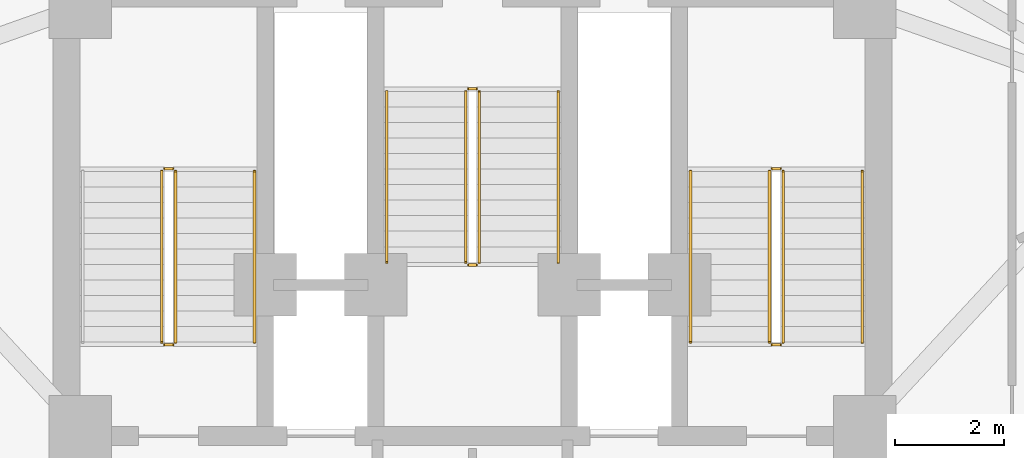
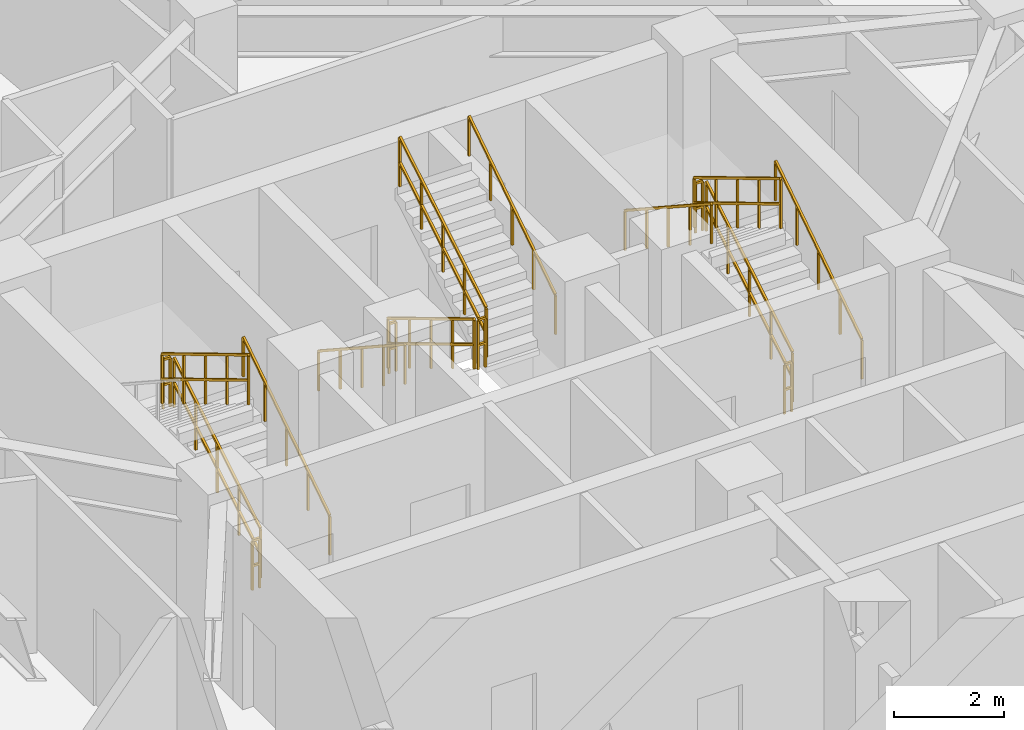
# One storey, part 10 of 11: 17 railings.
"""IFC4 building model written with IfcOpenShell, lengths in metres."""

from ifc_helpers import new_model, si_unit, direction, frame, origin, origin_2d, place, context, subcontext, project, spatial, rectangle, extrude, material, type_object, element, save


model = new_model("IFC4")

# Units and contexts
model_context = context("Model", 3, precision=1e-05, world=origin(), true_north=direction((0.0, 1.0)))
body_context = subcontext(model_context, "Body", "Model", "MODEL_VIEW")
ifc_project = project(units=[si_unit("LENGTHUNIT", "METRE"), si_unit("AREAUNIT", "SQUARE_METRE"), si_unit("VOLUMEUNIT", "CUBIC_METRE"), si_unit("PLANEANGLEUNIT", "RADIAN"), si_unit("MASSUNIT", "GRAM", prefix="KILO")], contexts=[model_context])

# Site, building, storey
site_placement = place(None, origin())
site = spatial("IfcSite", under=ifc_project, at=site_placement, CompositionType="ELEMENT")
building_placement = place(site_placement, origin())
building = spatial("IfcBuilding", under=site, at=building_placement, Name="Apsidion Concourse Tower", CompositionType="ELEMENT")
storey_placement = place(building_placement, frame((0.0, 0.0, 236.300048828125)))
storey = spatial("IfcBuildingStorey", under=building, at=storey_placement, Name="L55", CompositionType="ELEMENT", Elevation=236.300048828125)

# Railings
ifc_material = material(Name="Brushed stainless steel 316", Category="steel")
railing_type_1 = type_object("IfcRailingType", Name="RL-GUARD-1100", PredefinedType="GUARDRAIL", material=ifc_material)
railing_1_placement = place(storey_placement, frame((-5.449951171875, 3.0, 0.1708984375)))
element("IfcRailing", 1, at=railing_1_placement, inside=storey, type_object=railing_type_1, Name="L55 ST1 stair guard 1", PredefinedType="GUARDRAIL", context=body_context, shape_type="SweptSolid", body=[
    extrude(rectangle(XDim=0.048095703125, YDim=0.048095703125, at=origin_2d()), frame((0.0, 0.0, 1.09619140625), z_axis=(0.0, 0.857716804754, 0.514122439544), x_axis=(-1.0, 0.0, 0.0)), (0.0, 0.0, 1.0), 3.655029296875),
    extrude(rectangle(XDim=0.048095703125, YDim=0.048095703125, at=origin_2d()), frame((0.0, 0.0, 0.5361328125), z_axis=(0.0, 0.857716804754, 0.514122439544), x_axis=(-1.0, 0.0, 0.0)), (0.0, 0.0, 1.0), 3.655029296875),
    extrude(rectangle(XDim=0.0419921875, YDim=0.0419921875, at=origin_2d()), origin(), (0.0, 0.0, 1.0), 1.072021484375),
    extrude(rectangle(XDim=0.0419921875, YDim=0.0419921875, at=origin_2d()), frame((0.0, 0.78369140625, 0.4697265625)), (0.0, 0.0, 1.0), 1.072021484375),
    extrude(rectangle(XDim=0.0419921875, YDim=0.0419921875, at=origin_2d()), frame((0.0, 1.5673828125, 0.939453125)), (0.0, 0.0, 1.0), 1.072021484375),
    extrude(rectangle(XDim=0.0419921875, YDim=0.0419921875, at=origin_2d()), frame((0.0, 2.351318359375, 1.409423828125)), (0.0, 0.0, 1.0), 1.072021484375),
    extrude(rectangle(XDim=0.0419921875, YDim=0.0419921875, at=origin_2d()), frame((0.0, 3.135009765625, 1.879150390625)), (0.0, 0.0, 1.0), 1.072021484375),
])
railing_2_placement = place(storey_placement, frame((-5.5, 6.18505859375, 2.050048828125)))
element("IfcRailing", 2, at=railing_2_placement, inside=storey, type_object=railing_type_1, Name="L55 ST1 stair guard 2", PredefinedType="GUARDRAIL", context=body_context, shape_type="SweptSolid", body=[
    extrude(rectangle(XDim=0.048095703125, YDim=0.048095703125, at=origin_2d()), frame((0.0, 0.0, 1.09619140625), z_axis=(-1.0, 0.0, 0.0), x_axis=(0.0, -1.0, 0.0)), (0.0, 0.0, 1.0), 0.14990234375),
    extrude(rectangle(XDim=0.048095703125, YDim=0.048095703125, at=origin_2d()), frame((0.0, 0.0, 0.5361328125), z_axis=(-1.0, 0.0, 0.0), x_axis=(0.0, -1.0, 0.0)), (0.0, 0.0, 1.0), 0.14990234375),
    extrude(rectangle(XDim=0.0419921875, YDim=0.0419921875, at=origin_2d()), origin(), (0.0, 0.0, 1.0), 1.072021484375),
    extrude(rectangle(XDim=0.0419921875, YDim=0.0419921875, at=origin_2d()), frame((-0.14990234375, 0.0, 0.0)), (0.0, 0.0, 1.0), 1.072021484375),
])
railing_3_placement = place(storey_placement, frame((-5.699951171875, 6.135009765625, 2.220703125)))
element("IfcRailing", 3, at=railing_3_placement, inside=storey, type_object=railing_type_1, Name="L55 ST1 stair guard 3", PredefinedType="GUARDRAIL", context=body_context, shape_type="SweptSolid", body=[
    extrude(rectangle(XDim=0.048095703125, YDim=0.048095703125, at=origin_2d()), frame((0.0, 0.0, 1.09619140625), z_axis=(0.0, -0.857716804754, 0.514122439544), x_axis=(1.0, 0.0, 0.0)), (0.0, 0.0, 1.0), 3.655029296875),
    extrude(rectangle(XDim=0.048095703125, YDim=0.048095703125, at=origin_2d()), frame((0.0, 0.0, 0.5361328125), z_axis=(0.0, -0.857716804754, 0.514122439544), x_axis=(1.0, 0.0, 0.0)), (0.0, 0.0, 1.0), 3.655029296875),
    extrude(rectangle(XDim=0.0419921875, YDim=0.0419921875, at=origin_2d()), origin(), (0.0, 0.0, 1.0), 1.072021484375),
    extrude(rectangle(XDim=0.0419921875, YDim=0.0419921875, at=origin_2d()), frame((0.0, -0.78369140625, 0.4697265625)), (0.0, 0.0, 1.0), 1.072021484375),
    extrude(rectangle(XDim=0.0419921875, YDim=0.0419921875, at=origin_2d()), frame((0.0, -1.5673828125, 0.939453125)), (0.0, 0.0, 1.0), 1.072021484375),
    extrude(rectangle(XDim=0.0419921875, YDim=0.0419921875, at=origin_2d()), frame((0.0, -2.351318359375, 1.409423828125)), (0.0, 0.0, 1.0), 1.072021484375),
    extrude(rectangle(XDim=0.0419921875, YDim=0.0419921875, at=origin_2d()), frame((0.0, -3.135009765625, 1.879150390625)), (0.0, 0.0, 1.0), 1.072021484375),
])
railing_4_placement = place(storey_placement, frame((-5.5, 2.949951171875, 0.0)))
element("IfcRailing", 4, at=railing_4_placement, inside=storey, type_object=railing_type_1, Name="L55 ST1 stair guard 4", PredefinedType="GUARDRAIL", context=body_context, shape_type="SweptSolid", body=[
    extrude(rectangle(XDim=0.048095703125, YDim=0.048095703125, at=origin_2d()), frame((0.0, 0.0, 1.09619140625), z_axis=(-1.0, 0.0, 0.0), x_axis=(0.0, -1.0, 0.0)), (0.0, 0.0, 1.0), 0.14990234375),
    extrude(rectangle(XDim=0.048095703125, YDim=0.048095703125, at=origin_2d()), frame((0.0, 0.0, 0.5361328125), z_axis=(-1.0, 0.0, 0.0), x_axis=(0.0, -1.0, 0.0)), (0.0, 0.0, 1.0), 0.14990234375),
    extrude(rectangle(XDim=0.0419921875, YDim=0.0419921875, at=origin_2d()), origin(), (0.0, 0.0, 1.0), 1.072021484375),
    extrude(rectangle(XDim=0.0419921875, YDim=0.0419921875, at=origin_2d()), frame((-0.14990234375, 0.0, 0.0)), (0.0, 0.0, 1.0), 1.072021484375),
])
railing_5_placement = place(storey_placement, frame((5.699951171875, 3.0, 0.1708984375)))
element("IfcRailing", 5, at=railing_5_placement, inside=storey, type_object=railing_type_1, Name="L55 ST2 stair guard 1", PredefinedType="GUARDRAIL", context=body_context, shape_type="SweptSolid", body=[
    extrude(rectangle(XDim=0.048095703125, YDim=0.048095703125, at=origin_2d()), frame((0.0, 0.0, 1.09619140625), z_axis=(0.0, 0.857716804754, 0.514122439544), x_axis=(-1.0, 0.0, 0.0)), (0.0, 0.0, 1.0), 3.655029296875),
    extrude(rectangle(XDim=0.048095703125, YDim=0.048095703125, at=origin_2d()), frame((0.0, 0.0, 0.5361328125), z_axis=(0.0, 0.857716804754, 0.514122439544), x_axis=(-1.0, 0.0, 0.0)), (0.0, 0.0, 1.0), 3.655029296875),
    extrude(rectangle(XDim=0.0419921875, YDim=0.0419921875, at=origin_2d()), origin(), (0.0, 0.0, 1.0), 1.072021484375),
    extrude(rectangle(XDim=0.0419921875, YDim=0.0419921875, at=origin_2d()), frame((0.0, 0.78369140625, 0.4697265625)), (0.0, 0.0, 1.0), 1.072021484375),
    extrude(rectangle(XDim=0.0419921875, YDim=0.0419921875, at=origin_2d()), frame((0.0, 1.5673828125, 0.939453125)), (0.0, 0.0, 1.0), 1.072021484375),
    extrude(rectangle(XDim=0.0419921875, YDim=0.0419921875, at=origin_2d()), frame((0.0, 2.351318359375, 1.409423828125)), (0.0, 0.0, 1.0), 1.072021484375),
    extrude(rectangle(XDim=0.0419921875, YDim=0.0419921875, at=origin_2d()), frame((0.0, 3.135009765625, 1.879150390625)), (0.0, 0.0, 1.0), 1.072021484375),
])
railing_6_placement = place(storey_placement, frame((5.64990234375, 6.18505859375, 2.050048828125)))
element("IfcRailing", 6, at=railing_6_placement, inside=storey, type_object=railing_type_1, Name="L55 ST2 stair guard 2", PredefinedType="GUARDRAIL", context=body_context, shape_type="SweptSolid", body=[
    extrude(rectangle(XDim=0.048095703125, YDim=0.048095703125, at=origin_2d()), frame((0.0, 0.0, 1.09619140625), z_axis=(-1.0, 0.0, 0.0), x_axis=(0.0, -1.0, 0.0)), (0.0, 0.0, 1.0), 0.14990234375),
    extrude(rectangle(XDim=0.048095703125, YDim=0.048095703125, at=origin_2d()), frame((0.0, 0.0, 0.5361328125), z_axis=(-1.0, 0.0, 0.0), x_axis=(0.0, -1.0, 0.0)), (0.0, 0.0, 1.0), 0.14990234375),
    extrude(rectangle(XDim=0.0419921875, YDim=0.0419921875, at=origin_2d()), origin(), (0.0, 0.0, 1.0), 1.072021484375),
    extrude(rectangle(XDim=0.0419921875, YDim=0.0419921875, at=origin_2d()), frame((-0.14990234375, 0.0, 0.0)), (0.0, 0.0, 1.0), 1.072021484375),
])
railing_7_placement = place(storey_placement, frame((5.449951171875, 6.135009765625, 2.220703125)))
element("IfcRailing", 7, at=railing_7_placement, inside=storey, type_object=railing_type_1, Name="L55 ST2 stair guard 3", PredefinedType="GUARDRAIL", context=body_context, shape_type="SweptSolid", body=[
    extrude(rectangle(XDim=0.048095703125, YDim=0.048095703125, at=origin_2d()), frame((0.0, 0.0, 1.09619140625), z_axis=(0.0, -0.857716804754, 0.514122439544), x_axis=(1.0, 0.0, 0.0)), (0.0, 0.0, 1.0), 3.655029296875),
    extrude(rectangle(XDim=0.048095703125, YDim=0.048095703125, at=origin_2d()), frame((0.0, 0.0, 0.5361328125), z_axis=(0.0, -0.857716804754, 0.514122439544), x_axis=(1.0, 0.0, 0.0)), (0.0, 0.0, 1.0), 3.655029296875),
    extrude(rectangle(XDim=0.0419921875, YDim=0.0419921875, at=origin_2d()), origin(), (0.0, 0.0, 1.0), 1.072021484375),
    extrude(rectangle(XDim=0.0419921875, YDim=0.0419921875, at=origin_2d()), frame((0.0, -0.78369140625, 0.4697265625)), (0.0, 0.0, 1.0), 1.072021484375),
    extrude(rectangle(XDim=0.0419921875, YDim=0.0419921875, at=origin_2d()), frame((0.0, -1.5673828125, 0.939453125)), (0.0, 0.0, 1.0), 1.072021484375),
    extrude(rectangle(XDim=0.0419921875, YDim=0.0419921875, at=origin_2d()), frame((0.0, -2.351318359375, 1.409423828125)), (0.0, 0.0, 1.0), 1.072021484375),
    extrude(rectangle(XDim=0.0419921875, YDim=0.0419921875, at=origin_2d()), frame((0.0, -3.135009765625, 1.879150390625)), (0.0, 0.0, 1.0), 1.072021484375),
])
railing_8_placement = place(storey_placement, frame((5.64990234375, 2.949951171875, 0.0)))
element("IfcRailing", 8, at=railing_8_placement, inside=storey, type_object=railing_type_1, Name="L55 ST2 stair guard 4", PredefinedType="GUARDRAIL", context=body_context, shape_type="SweptSolid", body=[
    extrude(rectangle(XDim=0.048095703125, YDim=0.048095703125, at=origin_2d()), frame((0.0, 0.0, 1.09619140625), z_axis=(-1.0, 0.0, 0.0), x_axis=(0.0, -1.0, 0.0)), (0.0, 0.0, 1.0), 0.14990234375),
    extrude(rectangle(XDim=0.048095703125, YDim=0.048095703125, at=origin_2d()), frame((0.0, 0.0, 0.5361328125), z_axis=(-1.0, 0.0, 0.0), x_axis=(0.0, -1.0, 0.0)), (0.0, 0.0, 1.0), 0.14990234375),
    extrude(rectangle(XDim=0.0419921875, YDim=0.0419921875, at=origin_2d()), origin(), (0.0, 0.0, 1.0), 1.072021484375),
    extrude(rectangle(XDim=0.0419921875, YDim=0.0419921875, at=origin_2d()), frame((-0.14990234375, 0.0, 0.0)), (0.0, 0.0, 1.0), 1.072021484375),
])
railing_9_placement = place(storey_placement, frame((-0.125, 7.60009765625, 0.1708984375)))
element("IfcRailing", 9, at=railing_9_placement, inside=storey, type_object=railing_type_1, Name="L55 ST3 stair guard 1", PredefinedType="GUARDRAIL", context=body_context, shape_type="SweptSolid", body=[
    extrude(rectangle(XDim=0.048095703125, YDim=0.048095703125, at=origin_2d()), frame((0.0, 0.0, 1.09619140625), z_axis=(0.0, -0.857716804754, 0.514122439544), x_axis=(1.0, 0.0, 0.0)), (0.0, 0.0, 1.0), 3.655029296875),
    extrude(rectangle(XDim=0.048095703125, YDim=0.048095703125, at=origin_2d()), frame((0.0, 0.0, 0.5361328125), z_axis=(0.0, -0.857716804754, 0.514122439544), x_axis=(1.0, 0.0, 0.0)), (0.0, 0.0, 1.0), 3.655029296875),
    extrude(rectangle(XDim=0.0419921875, YDim=0.0419921875, at=origin_2d()), origin(), (0.0, 0.0, 1.0), 1.072021484375),
    extrude(rectangle(XDim=0.0419921875, YDim=0.0419921875, at=origin_2d()), frame((0.0, -0.78369140625, 0.4697265625)), (0.0, 0.0, 1.0), 1.072021484375),
    extrude(rectangle(XDim=0.0419921875, YDim=0.0419921875, at=origin_2d()), frame((0.0, -1.5673828125, 0.939453125)), (0.0, 0.0, 1.0), 1.072021484375),
    extrude(rectangle(XDim=0.0419921875, YDim=0.0419921875, at=origin_2d()), frame((0.0, -2.351318359375, 1.409423828125)), (0.0, 0.0, 1.0), 1.072021484375),
    extrude(rectangle(XDim=0.0419921875, YDim=0.0419921875, at=origin_2d()), frame((0.0, -3.135009765625, 1.879150390625)), (0.0, 0.0, 1.0), 1.072021484375),
])
railing_10_placement = place(storey_placement, frame((-0.074951171875, 4.4150390625, 2.050048828125)))
element("IfcRailing", 10, at=railing_10_placement, inside=storey, type_object=railing_type_1, Name="L55 ST3 stair guard 2", PredefinedType="GUARDRAIL", context=body_context, shape_type="SweptSolid", body=[
    extrude(rectangle(XDim=0.048095703125, YDim=0.048095703125, at=origin_2d()), frame((0.0, 0.0, 1.09619140625), z_axis=(1.0, 0.0, 0.0), x_axis=(0.0, 1.0, 0.0)), (0.0, 0.0, 1.0), 0.14990234375),
    extrude(rectangle(XDim=0.048095703125, YDim=0.048095703125, at=origin_2d()), frame((0.0, 0.0, 0.5361328125), z_axis=(1.0, 0.0, 0.0), x_axis=(0.0, 1.0, 0.0)), (0.0, 0.0, 1.0), 0.14990234375),
    extrude(rectangle(XDim=0.0419921875, YDim=0.0419921875, at=origin_2d()), origin(), (0.0, 0.0, 1.0), 1.072021484375),
    extrude(rectangle(XDim=0.0419921875, YDim=0.0419921875, at=origin_2d()), frame((0.14990234375, 0.0, 0.0)), (0.0, 0.0, 1.0), 1.072021484375),
])
railing_11_placement = place(storey_placement, frame((0.125, 4.465087890625, 2.220703125)))
element("IfcRailing", 11, at=railing_11_placement, inside=storey, type_object=railing_type_1, Name="L55 ST3 stair guard 3", PredefinedType="GUARDRAIL", context=body_context, shape_type="SweptSolid", body=[
    extrude(rectangle(XDim=0.048095703125, YDim=0.048095703125, at=origin_2d()), frame((0.0, 0.0, 1.09619140625), z_axis=(0.0, 0.857716804754, 0.514122439544), x_axis=(-1.0, 0.0, 0.0)), (0.0, 0.0, 1.0), 3.655029296875),
    extrude(rectangle(XDim=0.048095703125, YDim=0.048095703125, at=origin_2d()), frame((0.0, 0.0, 0.5361328125), z_axis=(0.0, 0.857716804754, 0.514122439544), x_axis=(-1.0, 0.0, 0.0)), (0.0, 0.0, 1.0), 3.655029296875),
    extrude(rectangle(XDim=0.0419921875, YDim=0.0419921875, at=origin_2d()), origin(), (0.0, 0.0, 1.0), 1.072021484375),
    extrude(rectangle(XDim=0.0419921875, YDim=0.0419921875, at=origin_2d()), frame((0.0, 0.78369140625, 0.4697265625)), (0.0, 0.0, 1.0), 1.072021484375),
    extrude(rectangle(XDim=0.0419921875, YDim=0.0419921875, at=origin_2d()), frame((0.0, 1.5673828125, 0.939453125)), (0.0, 0.0, 1.0), 1.072021484375),
    extrude(rectangle(XDim=0.0419921875, YDim=0.0419921875, at=origin_2d()), frame((0.0, 2.351318359375, 1.409423828125)), (0.0, 0.0, 1.0), 1.072021484375),
    extrude(rectangle(XDim=0.0419921875, YDim=0.0419921875, at=origin_2d()), frame((0.0, 3.135009765625, 1.879150390625)), (0.0, 0.0, 1.0), 1.072021484375),
])
railing_12_placement = place(storey_placement, frame((-0.074951171875, 7.64990234375, 0.0)))
element("IfcRailing", 12, at=railing_12_placement, inside=storey, type_object=railing_type_1, Name="L55 ST3 stair guard 4", PredefinedType="GUARDRAIL", context=body_context, shape_type="SweptSolid", body=[
    extrude(rectangle(XDim=0.048095703125, YDim=0.048095703125, at=origin_2d()), frame((0.0, 0.0, 1.09619140625), z_axis=(1.0, 0.0, 0.0), x_axis=(0.0, 1.0, 0.0)), (0.0, 0.0, 1.0), 0.14990234375),
    extrude(rectangle(XDim=0.048095703125, YDim=0.048095703125, at=origin_2d()), frame((0.0, 0.0, 0.5361328125), z_axis=(1.0, 0.0, 0.0), x_axis=(0.0, 1.0, 0.0)), (0.0, 0.0, 1.0), 0.14990234375),
    extrude(rectangle(XDim=0.0419921875, YDim=0.0419921875, at=origin_2d()), origin(), (0.0, 0.0, 1.0), 1.072021484375),
    extrude(rectangle(XDim=0.0419921875, YDim=0.0419921875, at=origin_2d()), frame((0.14990234375, 0.0, 0.0)), (0.0, 0.0, 1.0), 1.072021484375),
])
railing_type_2 = type_object("IfcRailingType", Name="RL-HAND-900", PredefinedType="HANDRAIL", material=ifc_material)
for number, where, name in (
    (13, (-4.0, 3.0, 0.1708984375), "L55 ST1 stair handrail 1"),
    (14, (7.14990234375, 3.0, 0.1708984375), "L55 ST2 stair handrail 1"),
):
    element("IfcRailing", number, at=place(storey_placement, frame(where)), inside=storey, type_object=railing_type_2, Name=name, PredefinedType="HANDRAIL", context=body_context, shape_type="SweptSolid", body=[
        extrude(rectangle(XDim=0.048095703125, YDim=0.048095703125, at=origin_2d()), frame((0.0, 0.0, 0.8759765625), z_axis=(0.0, 0.836970762213, 0.547247606848), x_axis=(-1.0, 0.0, 0.0)), (0.0, 0.0, 1.0), 3.74560546875),
        extrude(rectangle(XDim=0.0419921875, YDim=0.0419921875, at=origin_2d()), origin(), (0.0, 0.0, 1.0), 0.851806640625),
        extrude(rectangle(XDim=0.0419921875, YDim=0.0419921875, at=origin_2d()), frame((0.0, 0.78369140625, 0.512451171875)), (0.0, 0.0, 1.0), 0.851806640625),
        extrude(rectangle(XDim=0.0419921875, YDim=0.0419921875, at=origin_2d()), frame((0.0, 1.5673828125, 1.02490234375)), (0.0, 0.0, 1.0), 0.851806640625),
        extrude(rectangle(XDim=0.0419921875, YDim=0.0419921875, at=origin_2d()), frame((0.0, 2.351318359375, 1.537353515625)), (0.0, 0.0, 1.0), 0.851806640625),
        extrude(rectangle(XDim=0.0419921875, YDim=0.0419921875, at=origin_2d()), frame((0.0, 3.135009765625, 2.0498046875)), (0.0, 0.0, 1.0), 0.851806640625),
    ])
railing_13_placement = place(storey_placement, frame((4.0, 6.135009765625, 2.220703125)))
element("IfcRailing", 15, at=railing_13_placement, inside=storey, type_object=railing_type_2, Name="L55 ST2 stair handrail 2", PredefinedType="HANDRAIL", context=body_context, shape_type="SweptSolid", body=[
    extrude(rectangle(XDim=0.048095703125, YDim=0.048095703125, at=origin_2d()), frame((0.0, 0.0, 0.8759765625), z_axis=(0.0, -0.836940907821, 0.547293263996), x_axis=(1.0, 0.0, 0.0)), (0.0, 0.0, 1.0), 3.745849609375),
    extrude(rectangle(XDim=0.0419921875, YDim=0.0419921875, at=origin_2d()), origin(), (0.0, 0.0, 1.0), 0.851806640625),
    extrude(rectangle(XDim=0.0419921875, YDim=0.0419921875, at=origin_2d()), frame((0.0, -0.78369140625, 0.512451171875)), (0.0, 0.0, 1.0), 0.851806640625),
    extrude(rectangle(XDim=0.0419921875, YDim=0.0419921875, at=origin_2d()), frame((0.0, -1.5673828125, 1.02490234375)), (0.0, 0.0, 1.0), 0.851806640625),
    extrude(rectangle(XDim=0.0419921875, YDim=0.0419921875, at=origin_2d()), frame((0.0, -2.351318359375, 1.53759765625)), (0.0, 0.0, 1.0), 0.851806640625),
    extrude(rectangle(XDim=0.0419921875, YDim=0.0419921875, at=origin_2d()), frame((0.0, -3.135009765625, 2.050048828125)), (0.0, 0.0, 1.0), 0.851806640625),
])
railing_14_placement = place(storey_placement, frame((-1.574951171875, 7.60009765625, 0.1708984375)))
element("IfcRailing", 16, at=railing_14_placement, inside=storey, type_object=railing_type_2, Name="L55 ST3 stair handrail 1", PredefinedType="HANDRAIL", context=body_context, shape_type="SweptSolid", body=[
    extrude(rectangle(XDim=0.048095703125, YDim=0.048095703125, at=origin_2d()), frame((0.0, 0.0, 0.8759765625), z_axis=(0.0, -0.836970762213, 0.547247606848), x_axis=(1.0, 0.0, 0.0)), (0.0, 0.0, 1.0), 3.74560546875),
    extrude(rectangle(XDim=0.0419921875, YDim=0.0419921875, at=origin_2d()), origin(), (0.0, 0.0, 1.0), 0.851806640625),
    extrude(rectangle(XDim=0.0419921875, YDim=0.0419921875, at=origin_2d()), frame((0.0, -0.78369140625, 0.512451171875)), (0.0, 0.0, 1.0), 0.851806640625),
    extrude(rectangle(XDim=0.0419921875, YDim=0.0419921875, at=origin_2d()), frame((0.0, -1.5673828125, 1.02490234375)), (0.0, 0.0, 1.0), 0.851806640625),
    extrude(rectangle(XDim=0.0419921875, YDim=0.0419921875, at=origin_2d()), frame((0.0, -2.351318359375, 1.537353515625)), (0.0, 0.0, 1.0), 0.851806640625),
    extrude(rectangle(XDim=0.0419921875, YDim=0.0419921875, at=origin_2d()), frame((0.0, -3.135009765625, 2.0498046875)), (0.0, 0.0, 1.0), 0.851806640625),
])
railing_15_placement = place(storey_placement, frame((1.574951171875, 4.465087890625, 2.220703125)))
element("IfcRailing", 17, at=railing_15_placement, inside=storey, type_object=railing_type_2, Name="L55 ST3 stair handrail 2", PredefinedType="HANDRAIL", context=body_context, shape_type="SweptSolid", body=[
    extrude(rectangle(XDim=0.048095703125, YDim=0.048095703125, at=origin_2d()), frame((0.0, 0.0, 0.8759765625), z_axis=(0.0, 0.836940907821, 0.547293263996), x_axis=(-1.0, 0.0, 0.0)), (0.0, 0.0, 1.0), 3.745849609375),
    extrude(rectangle(XDim=0.0419921875, YDim=0.0419921875, at=origin_2d()), origin(), (0.0, 0.0, 1.0), 0.851806640625),
    extrude(rectangle(XDim=0.0419921875, YDim=0.0419921875, at=origin_2d()), frame((0.0, 0.78369140625, 0.512451171875)), (0.0, 0.0, 1.0), 0.851806640625),
    extrude(rectangle(XDim=0.0419921875, YDim=0.0419921875, at=origin_2d()), frame((0.0, 1.5673828125, 1.02490234375)), (0.0, 0.0, 1.0), 0.851806640625),
    extrude(rectangle(XDim=0.0419921875, YDim=0.0419921875, at=origin_2d()), frame((0.0, 2.351318359375, 1.53759765625)), (0.0, 0.0, 1.0), 0.851806640625),
    extrude(rectangle(XDim=0.0419921875, YDim=0.0419921875, at=origin_2d()), frame((0.0, 3.135009765625, 2.050048828125)), (0.0, 0.0, 1.0), 0.851806640625),
])

save(model, "model.ifc")
